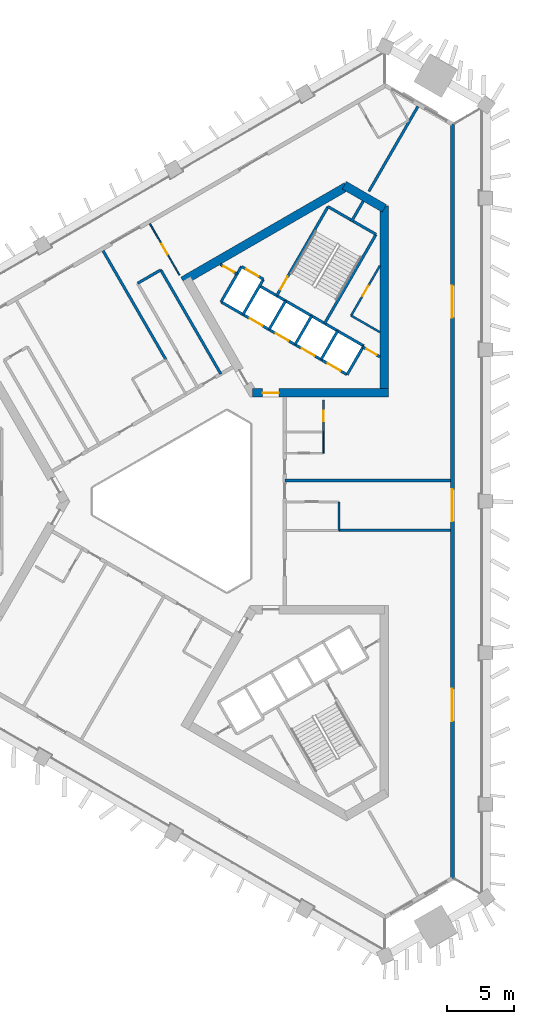
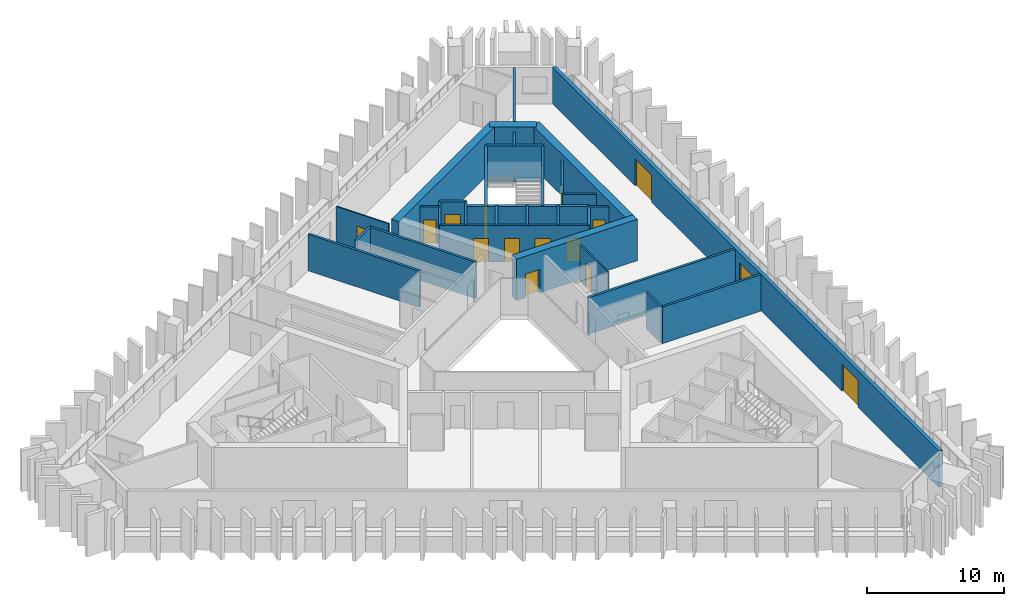
# One storey, part 5 of 10: 32 walls, 15 doors, 15 openings.
"""IFC4 building model written with IfcOpenShell, lengths in metres."""

import ifcopenshell
import ifcopenshell.guid

model = None  # the IFC model being written
_history = None  # IfcOwnerHistory: only IFC2X3 demands one
_inside = {}  # id of a spatial element -> (the spatial element, [elements in it])
_under = {}  # id of a project, library or spatial element -> (it, [spatial elements below it])
_declared = {}  # id of a project -> (the project, [libraries it declares])
_typed = {}  # id of a type object -> (the type object, [elements of that type])
_made_of = {}  # id of a material, layer set ... -> (it, [elements and type objects made of it])


def new_model(schema):
    """Start an empty IFC model of exactly this schema.

    Asked for "IFC4X3", IfcOpenShell would pick the latest addendum, in which some entities
    have other attributes; the version numbers below select the first issue.
    IFC2X3 requires an IfcOwnerHistory on every rooted entity: one is made here for all.
    """
    global model, _history
    if schema == "IFC4X3":
        model = ifcopenshell.file(schema_version=(4, 3, 0, 0))
    else:
        model = ifcopenshell.file(schema=schema)
    _inside.clear()
    _under.clear()
    _declared.clear()
    _typed.clear()
    _made_of.clear()
    _history = None
    if model.schema == "IFC2X3":
        org = make("IfcOrganization", Name="unknown")
        user = make(
            "IfcPersonAndOrganization",
            ThePerson=make("IfcPerson", FamilyName="unknown"),
            TheOrganization=org,
        )
        app = make(
            "IfcApplication",
            ApplicationDeveloper=org,
            Version="unknown",
            ApplicationFullName="unknown",
            ApplicationIdentifier="unknown",
        )
        _history = make(
            "IfcOwnerHistory",
            OwningUser=user,
            OwningApplication=app,
            ChangeAction="ADDED",
            CreationDate=0,
        )
    return model


def make(cls, **values):
    """One entity of the class cls with the attributes given. An attribute that is None is left unset."""
    return model.create_entity(
        cls, **{name: value for name, value in values.items() if value is not None}
    )


def rooted(cls, **values):
    """An entity with a GlobalId (a new one), such as an element, a storey or a relation."""
    return make(cls, GlobalId=ifcopenshell.guid.new(), OwnerHistory=_history, **values)


def si_unit(unit_type, name, prefix=None):
    """IfcSIUnit, for example si_unit("LENGTHUNIT", "METRE", prefix="MILLI")."""
    return make("IfcSIUnit", UnitType=unit_type, Prefix=prefix, Name=name)


def assignment(units):
    """IfcUnitAssignment: the units of a project."""
    return None if units is None else make("IfcUnitAssignment", Units=units)


def point(xyz):
    """IfcCartesianPoint."""
    return None if xyz is None else make("IfcCartesianPoint", Coordinates=xyz)


def direction(xyz):
    """IfcDirection."""
    return None if xyz is None else make("IfcDirection", DirectionRatios=xyz)


def frame(location, z_axis=None, x_axis=None):
    """IfcAxis2Placement3D, a coordinate frame: its origin and axes. An axis left out is left unset."""
    return make(
        "IfcAxis2Placement3D",
        Location=point(location),
        Axis=direction(z_axis),
        RefDirection=direction(x_axis),
    )


def frame_2d(location, x_axis=None):
    """IfcAxis2Placement2D, a coordinate frame in the plane: its origin and x axis."""
    return make(
        "IfcAxis2Placement2D", Location=point(location), RefDirection=direction(x_axis)
    )


def origin():
    """The frame at (0, 0, 0) with its axes left unset."""
    return frame((0.0, 0.0, 0.0))


def place(relative_to, where):
    """IfcLocalPlacement: puts the frame where relative to a parent placement (None: the world)."""
    return make(
        "IfcLocalPlacement", PlacementRelTo=relative_to, RelativePlacement=where
    )


def context(
    kind, dimensions, precision=None, world=None, true_north=None, identifier=None
):
    """IfcGeometricRepresentationContext, for example the 3D "Model" context."""
    return make(
        "IfcGeometricRepresentationContext",
        ContextIdentifier=identifier,
        ContextType=kind,
        CoordinateSpaceDimension=dimensions,
        Precision=precision,
        WorldCoordinateSystem=world,
        TrueNorth=true_north,
    )


def subcontext(parent, identifier, kind, view, scale=None):
    """IfcGeometricRepresentationSubContext, for example "Body" below "Model"."""
    return make(
        "IfcGeometricRepresentationSubContext",
        ContextIdentifier=identifier,
        ContextType=kind,
        ParentContext=parent,
        TargetScale=scale,
        TargetView=view,
    )


def project(units=None, contexts=None):
    """IfcProject with its units and contexts."""
    return rooted(
        "IfcProject",
        Name="project",
        RepresentationContexts=contexts,
        UnitsInContext=assignment(units),
    )


def spatial(cls, under=None, at=None, **own):
    """A site, building, storey or space (cls), placed at a placement, below another one or the project."""
    s = rooted(cls, ObjectPlacement=at, **own)
    if under is not None:
        _under.setdefault(under.id(), (under, []))[1].append(s)
    return s


def profile(cls, at=None, kind="AREA", **sizes):
    """A parametric profile (cls). Its sizes go by their IFC names, for example OverallWidth=200.0."""
    return make(cls, ProfileType=kind, Position=at, **sizes)


def rectangle(**sizes):
    """IfcRectangleProfileDef."""
    return profile("IfcRectangleProfileDef", **sizes)


def extrude(swept, where, along, depth):
    """IfcExtrudedAreaSolid: the profile swept, set in the frame where, extruded along a direction by depth."""
    return make(
        "IfcExtrudedAreaSolid",
        SweptArea=swept,
        Position=where,
        ExtrudedDirection=direction(along),
        Depth=depth,
    )


def shape(context_of_items, identifier, shape_type, items):
    """IfcShapeRepresentation: the items that make up one representation, for example the "Body"."""
    return make(
        "IfcShapeRepresentation",
        ContextOfItems=context_of_items,
        RepresentationIdentifier=identifier,
        RepresentationType=shape_type,
        Items=items,
    )


def material(Name=None, Category=None):
    """IfcMaterial."""
    return make("IfcMaterial", Name=Name, Category=Category)


def layer(
    of_material, thickness, ventilated=None, Name=None, Category=None, Priority=None
):
    """IfcMaterialLayer: one layer of a wall or slab, of a material (None: an air gap)."""
    return make(
        "IfcMaterialLayer",
        Material=of_material,
        LayerThickness=thickness,
        IsVentilated=ventilated,
        Name=Name,
        Category=Category,
        Priority=Priority,
    )


def layer_set(layers, Name=None):
    """IfcMaterialLayerSet."""
    return make("IfcMaterialLayerSet", MaterialLayers=layers, LayerSetName=Name)


def made_of(thing, what):
    """Note that an element or type object is made of a material, layer set ...; save() writes the relation."""
    if what is not None:
        _made_of.setdefault(what.id(), (what, []))[1].append(thing)
    return thing


def type_object(cls, material=None, **own):
    """A type object (cls), such as IfcWallType, which elements share."""
    return made_of(rooted(cls, **own), material)


def element(
    cls,
    number,
    at=None,
    inside=None,
    cuts=None,
    type_object=None,
    material=None,
    context=None,
    identifier="Body",
    shape_type=None,
    held_by="IfcProductDefinitionShape",
    body=None,
    shapes=None,
    **own,
):
    """One element of the class cls, such as IfcWall. Its Tag is "e" and its number.

    at: its placement. inside: the storey or other place that contains it. cuts: it is an
    opening in that element (IfcRelVoidsElement). A single representation is given by context,
    identifier, shape_type and body (its items); several are given by shapes. held_by: the class
    of the entity that holds the representations. save() writes the other relations.
    """
    e = rooted(cls, Tag="e%d" % number, ObjectPlacement=at, **own)
    if body is not None:
        shapes = [shape(context, identifier, shape_type, body)]
    if shapes is not None:
        e.Representation = make(held_by, Representations=shapes)
    if inside is not None:
        _inside.setdefault(inside.id(), (inside, []))[1].append(e)
    if cuts is not None:
        rooted(
            "IfcRelVoidsElement", RelatingBuildingElement=cuts, RelatedOpeningElement=e
        )
    if type_object is not None:
        _typed.setdefault(type_object.id(), (type_object, []))[1].append(e)
    return made_of(e, material)


def fill(opening, filler):
    """IfcRelFillsElement: the door or window that sits in an opening."""
    return rooted(
        "IfcRelFillsElement",
        RelatingOpeningElement=opening,
        RelatedBuildingElement=filler,
    )


def aggregate(whole, parts):
    """IfcRelAggregates: a whole, such as a stair, and the parts it consists of."""
    return rooted("IfcRelAggregates", RelatingObject=whole, RelatedObjects=parts)


def save(model, path):
    """Write the relations noted so far, then the file.

    IfcRelAggregates (storeys below a building ...), IfcRelContainedInSpatialStructure (elements
    in a storey), IfcRelDefinesByType, IfcRelAssociatesMaterial and IfcRelDeclares: one each for
    every whole, place, type object, material and project.
    """
    for whole, parts in _under.values():
        aggregate(whole, parts)
    for where, things in _inside.values():
        rooted(
            "IfcRelContainedInSpatialStructure",
            RelatedElements=things,
            RelatingStructure=where,
        )
    for kind, things in _typed.values():
        rooted("IfcRelDefinesByType", RelatedObjects=things, RelatingType=kind)
    for what, things in _made_of.values():
        rooted("IfcRelAssociatesMaterial", RelatedObjects=things, RelatingMaterial=what)
    for by, libraries in _declared.values():
        rooted("IfcRelDeclares", RelatingContext=by, RelatedDefinitions=libraries)
    model.write(path)


model = new_model("IFC4")

# Units and contexts
model_context = context("Model", 3, precision=1e-05, world=origin(), true_north=direction((0.0, 1.0)))
body_context = subcontext(model_context, "Body", "Model", "MODEL_VIEW")
ifc_project = project(units=[si_unit("LENGTHUNIT", "METRE"), si_unit("AREAUNIT", "SQUARE_METRE"), si_unit("VOLUMEUNIT", "CUBIC_METRE"), si_unit("PLANEANGLEUNIT", "RADIAN"), si_unit("MASSUNIT", "GRAM", prefix="KILO")], contexts=[model_context])

# Site, building, storey
site_placement = place(None, origin())
site = spatial("IfcSite", under=ifc_project, at=site_placement, CompositionType="ELEMENT")
building_placement = place(site_placement, origin())
building = spatial("IfcBuilding", under=site, at=building_placement, Name="Jabali Bay Hotel Tower and Convention Centre", CompositionType="ELEMENT")
storey_placement = place(building_placement, frame((0.0, 0.0, 121.60009765625)))
storey = spatial("IfcBuildingStorey", under=building, at=storey_placement, Name="L29", CompositionType="ELEMENT", Elevation=121.60009765625)

# Wall
ifc_material_1 = material(Name="Concrete C40", Category="concrete")
ifc_layer_1 = layer(ifc_material_1, 0.199951171875)
ifc_layer_set_1 = layer_set([ifc_layer_1], Name="Concrete C40")
wall_type_1 = type_object("IfcWallType", Name="Core partition wall 200", PredefinedType="PARTITIONING", material=ifc_layer_set_1)
wall_1_placement = place(storey_placement, frame((87.090087890625, 100.9404296875, 0.0), z_axis=(0.0, 0.0, 1.0), x_axis=(0.499944938281, 0.866057191349, 0.0)))
element("IfcWall", 1, at=wall_1_placement, inside=storey, type_object=wall_type_1, Name="Core wall 1.5 L29", PredefinedType="PARTITIONING", context=body_context, shape_type="SweptSolid", body=[
    extrude(rectangle(XDim=1.773193359375, YDim=0.199951171875, at=frame_2d((0.88671875, 0.0))), origin(), (0.0, 0.0, 1.0), 3.25),
])

# Wall, opening, door
wall_2_placement = place(storey_placement, frame((89.22998046875, 90.813720703125, 0.0), z_axis=(0.0, 0.0, 1.0), x_axis=(-0.866022048785, 0.500005810984, 0.0)))
wall_2 = element("IfcWall", 2, at=wall_2_placement, inside=storey, type_object=wall_type_1, Name="Core wall 1.11 L29", PredefinedType="PARTITIONING", context=body_context, shape_type="SweptSolid", body=[
    extrude(rectangle(XDim=1.466796875, YDim=0.199951171875, at=frame_2d((0.7333984375, 0.0))), origin(), (0.0, 0.0, 1.0), 3.25),
])
opening_1_placement = place(wall_2_placement, frame((0.283447265625, 0.0, 0.0)))
opening_1 = element("IfcOpeningElement", 3, at=opening_1_placement, cuts=wall_2, Name="Opening D650", PredefinedType="OPENING", context=body_context, shape_type="SweptSolid", body=[
    extrude(rectangle(XDim=0.89990234375, YDim=2.10009765625, at=frame_2d((0.449951171875, 1.050048828125))), frame((0.0, 0.1103515625, 0.0), z_axis=(0.0, -1.0, 0.0), x_axis=(1.0, 0.0, 0.0)), (0.0, 0.0, 1.0), 0.220947265625),
])
ifc_material_2 = material(Name="Fire-rated steel door", Category="steel")
door_type_1 = type_object("IfcDoorType", Name="Vestibule fire door 900 x 2100", OperationType="NOTDEFINED", PredefinedType="NOTDEFINED", material=ifc_material_2)
door_1_placement = place(opening_1_placement, origin())
door_1 = element("IfcDoor", 4, at=door_1_placement, inside=storey, type_object=door_type_1, Name="Vestibule fire door D650", OperationType="SINGLE_SWING_LEFT", OverallHeight=2.10009765625, OverallWidth=0.89990234375, PredefinedType="NOTDEFINED", context=body_context, shape_type="SweptSolid", body=[
    extrude(rectangle(XDim=0.89990234375, YDim=2.10009765625, at=frame_2d((0.449951171875, 1.050048828125))), frame((0.0, 0.02490234375, 0.0), z_axis=(0.0, -1.0, 0.0), x_axis=(1.0, 0.0, 0.0)), (0.0, 0.0, 1.0), 0.050048828125),
])
fill(opening_1, door_1)

wall_3_placement = place(storey_placement, frame((78.5302734375, 97.014404296875, 0.0), z_axis=(0.0, 0.0, 1.0), x_axis=(-0.866045896294, 0.499964504253, 0.0)))
wall_3 = element("IfcWall", 5, at=wall_3_placement, inside=storey, type_object=wall_type_1, Name="Core wall 1.12 L29", PredefinedType="PARTITIONING", context=body_context, shape_type="SweptSolid", body=[
    extrude(rectangle(XDim=1.455078125, YDim=0.199951171875, at=frame_2d((0.7275390625, 0.0))), origin(), (0.0, 0.0, 1.0), 3.25),
])
opening_2_placement = place(wall_3_placement, frame((0.277587890625, 0.0, 0.0)))
opening_2 = element("IfcOpeningElement", 6, at=opening_2_placement, cuts=wall_3, Name="Opening D649", PredefinedType="OPENING", context=body_context, shape_type="SweptSolid", body=[
    extrude(rectangle(XDim=0.89990234375, YDim=2.10009765625, at=frame_2d((0.449951171875, 1.050048828125))), frame((0.0, 0.1103515625, 0.0), z_axis=(0.0, -1.0, 0.0), x_axis=(1.0, 0.0, 0.0)), (0.0, 0.0, 1.0), 0.220947265625),
])
door_2_placement = place(opening_2_placement, origin())
door_2 = element("IfcDoor", 7, at=door_2_placement, inside=storey, type_object=door_type_1, Name="Vestibule fire door D649", OperationType="SINGLE_SWING_LEFT", OverallHeight=2.10009765625, OverallWidth=0.89990234375, PredefinedType="NOTDEFINED", context=body_context, shape_type="SweptSolid", body=[
    extrude(rectangle(XDim=0.89990234375, YDim=2.10009765625, at=frame_2d((0.449951171875, 1.050048828125))), frame((0.0, 0.02490234375, 0.0), z_axis=(0.0, -1.0, 0.0), x_axis=(1.0, 0.0, 0.0)), (0.0, 0.0, 1.0), 0.050048828125),
])
fill(opening_2, door_2)

ifc_material_3 = material(Name="Fire-rated board partition")
ifc_layer_2 = layer(ifc_material_3, 0.14990234375)
ifc_layer_set_2 = layer_set([ifc_layer_2], Name="Fire-rated board partition")
wall_type_2 = type_object("IfcWallType", Name="Core room partition 150", PredefinedType="PARTITIONING", material=ifc_layer_set_2)
wall_4_placement = place(storey_placement, frame((87.071044921875, 93.90771484375, 0.0), z_axis=(0.0, 0.0, 1.0), x_axis=(0.500012861172, 0.866017978256, 0.0)))
wall_4 = element("IfcWall", 8, at=wall_4_placement, inside=storey, type_object=wall_type_2, Name="Core wall 1.1 L29", PredefinedType="PARTITIONING", context=body_context, shape_type="SweptSolid", body=[
    extrude(rectangle(XDim=4.31787109375, YDim=0.14990234375, at=frame_2d((2.158935546875, 0.0))), origin(), (0.0, 0.0, 1.0), 3.25),
])
opening_3_placement = place(wall_4_placement, frame((1.681396484375, 0.0, 0.0)))
opening_3 = element("IfcOpeningElement", 9, at=opening_3_placement, cuts=wall_4, Name="Opening D652", PredefinedType="OPENING", context=body_context, shape_type="SweptSolid", body=[
    extrude(rectangle(XDim=0.89990234375, YDim=2.10009765625, at=frame_2d((0.449951171875, 1.050048828125))), frame((0.0, 0.08544921875, 0.0), z_axis=(0.0, -1.0, 0.0), x_axis=(1.0, 0.0, 0.0)), (0.0, 0.0, 1.0), 0.1708984375),
])
door_type_2 = type_object("IfcDoorType", Name="Core room door 900 x 2100", OperationType="NOTDEFINED", PredefinedType="NOTDEFINED", material=ifc_material_2)
door_3_placement = place(opening_3_placement, origin())
door_3 = element("IfcDoor", 10, at=door_3_placement, inside=storey, type_object=door_type_2, Name="Core room door D652", OperationType="SINGLE_SWING_LEFT", OverallHeight=2.10009765625, OverallWidth=0.89990234375, PredefinedType="NOTDEFINED", context=body_context, shape_type="SweptSolid", body=[
    extrude(rectangle(XDim=0.89990234375, YDim=2.10009765625, at=frame_2d((0.449951171875, 1.050048828125))), frame((0.0, 0.02490234375, 0.0), z_axis=(0.0, -1.0, 0.0), x_axis=(1.0, 0.0, 0.0)), (0.0, 0.0, 1.0), 0.050048828125),
])
fill(opening_3, door_3)

# Walls
wall_5_placement = place(storey_placement, frame((89.22998046875, 92.661376953125, 0.0), z_axis=(0.0, 0.0, 1.0), x_axis=(-0.866046964233, 0.499962654349, 0.0)))
element("IfcWall", 11, at=wall_5_placement, inside=storey, type_object=wall_type_2, Name="Core wall 1.15 L29", PredefinedType="PARTITIONING", context=body_context, shape_type="SweptSolid", body=[
    extrude(rectangle(XDim=2.492919921875, YDim=0.14990234375, at=frame_2d((1.24658203125, 0.0))), origin(), (0.0, 0.0, 1.0), 3.25),
])
ifc_layer_3 = layer(ifc_material_1, 0.199951171875)
ifc_layer_set_3 = layer_set([ifc_layer_3], Name="Concrete C40")
wall_type_3 = type_object("IfcWallType", Name="Core stair wall 200", PredefinedType="SOLIDWALL", material=ifc_layer_set_3)
for number, where, z_axis, x_axis, name in (
    (12, (86.769775390625, 89.48583984375, 0.0), (0.0, 0.0, 1.0), (0.499961042966, 0.86604789447, 0.0), "Core wall 1.0 L29"),
    (13, (84.8212890625, 90.61083984375, 0.0), (0.0, 0.0, 1.0), (0.499961042966, 0.86604789447, 0.0), "Core wall 1.2 L29"),
):
    element("IfcWall", number, at=place(storey_placement, frame(where, z_axis=z_axis, x_axis=x_axis)), inside=storey, type_object=wall_type_3, Name=name, PredefinedType="SOLIDWALL", context=body_context, shape_type="SweptSolid", body=[
        extrude(rectangle(XDim=2.480224609375, YDim=0.199951171875, at=frame_2d((1.240234375, 0.0))), origin(), (0.0, 0.0, 1.0), 3.25),
    ])
wall_6_placement = place(storey_placement, frame((85.0869140625, 93.3212890625, 0.0), z_axis=(0.0, 0.0, 1.0), x_axis=(0.500019787375, 0.866013979237, 0.0)))
element("IfcWall", 14, at=wall_6_placement, inside=storey, type_object=wall_type_3, Name="Core wall 1.3 L29", PredefinedType="SOLIDWALL", context=body_context, shape_type="SweptSolid", body=[
    extrude(rectangle(XDim=7.699951171875, YDim=0.199951171875, at=frame_2d((3.85009765625, 0.0))), origin(), (0.0, 0.0, 1.0), 3.25),
])
for number, where, z_axis, x_axis, name in (
    (15, (82.872802734375, 91.73583984375, 0.0), (0.0, 0.0, 1.0), (0.499961042966, 0.86604789447, 0.0), "Core wall 1.4 L29"),
    (16, (80.924072265625, 92.86083984375, 0.0), (0.0, 0.0, 1.0), (0.499961042966, 0.86604789447, 0.0), "Core wall 1.6 L29"),
):
    element("IfcWall", number, at=place(storey_placement, frame(where, z_axis=z_axis, x_axis=x_axis)), inside=storey, type_object=wall_type_3, Name=name, PredefinedType="SOLIDWALL", context=body_context, shape_type="SweptSolid", body=[
        extrude(rectangle(XDim=2.480224609375, YDim=0.199951171875, at=frame_2d((1.240234375, 0.0))), origin(), (0.0, 0.0, 1.0), 3.25),
    ])

# Wall, opening, door
wall_7_placement = place(storey_placement, frame((81.492919921875, 95.396240234375, 0.0), z_axis=(0.0, 0.0, 1.0), x_axis=(0.500006057782, 0.866021906294, 0.0)))
wall_7 = element("IfcWall", 17, at=wall_7_placement, inside=storey, type_object=wall_type_3, Name="Core wall 1.7 L29", PredefinedType="SOLIDWALL", context=body_context, shape_type="SweptSolid", body=[
    extrude(rectangle(XDim=7.7001953125, YDim=0.199951171875, at=frame_2d((3.85009765625, 0.0))), origin(), (0.0, 0.0, 1.0), 3.25),
])
opening_4_placement = place(wall_7_placement, frame((0.550048828125, 0.0, 0.0)))
opening_4 = element("IfcOpeningElement", 18, at=opening_4_placement, cuts=wall_7, Name="Opening D651", PredefinedType="OPENING", context=body_context, shape_type="SweptSolid", body=[
    extrude(rectangle(XDim=1.10009765625, YDim=2.10009765625, at=frame_2d((0.550048828125, 1.050048828125))), frame((0.0, 0.1103515625, 0.0), z_axis=(0.0, -1.0, 0.0), x_axis=(1.0, 0.0, 0.0)), (0.0, 0.0, 1.0), 0.220947265625),
])
door_type_3 = type_object("IfcDoorType", Name="Stair fire door 1100 x 2100", OperationType="NOTDEFINED", PredefinedType="NOTDEFINED", material=ifc_material_2)
door_4_placement = place(opening_4_placement, origin())
door_4 = element("IfcDoor", 19, at=door_4_placement, inside=storey, type_object=door_type_3, Name="Stair fire door D651", OperationType="SINGLE_SWING_RIGHT", OverallHeight=2.10009765625, OverallWidth=1.10009765625, PredefinedType="NOTDEFINED", context=body_context, shape_type="SweptSolid", body=[
    extrude(rectangle(XDim=1.10009765625, YDim=2.10009765625, at=frame_2d((0.550048828125, 1.050048828125))), frame((0.0, 0.02490234375, 0.0), z_axis=(0.0, -1.0, 0.0), x_axis=(1.0, 0.0, 0.0)), (0.0, 0.0, 1.0), 0.050048828125),
])
fill(opening_4, door_4)

# Walls
for number, where, z_axis, x_axis, name in (
    (20, (78.9755859375, 93.98583984375, 0.0), (0.0, 0.0, 1.0), (0.499944174705, 0.866057632134, 0.0), "Core wall 1.8 L29"),
    (21, (77.330078125, 94.93603515625, 0.0), (0.0, 0.0, 1.0), (0.500038867431, 0.8660029625, 0.0), "Core wall 1.9 L29"),
):
    element("IfcWall", number, at=place(storey_placement, frame(where, z_axis=z_axis, x_axis=x_axis)), inside=storey, type_object=wall_type_3, Name=name, PredefinedType="SOLIDWALL", context=body_context, shape_type="SweptSolid", body=[
        extrude(rectangle(XDim=3.050048828125, YDim=0.199951171875, at=frame_2d((1.52490234375, 0.0))), origin(), (0.0, 0.0, 1.0), 3.25),
    ])

# Wall, openings, doors
wall_8_placement = place(storey_placement, frame((86.769775390625, 89.48583984375, 0.0), z_axis=(0.0, 0.0, 1.0), x_axis=(-0.86601811187, 0.500012629753, 0.0)))
wall_8 = element("IfcWall", 22, at=wall_8_placement, inside=storey, type_object=wall_type_3, Name="Core wall 1.10 L29", PredefinedType="SOLIDWALL", context=body_context, shape_type="SweptSolid", body=[
    extrude(rectangle(XDim=10.900146484375, YDim=0.199951171875, at=frame_2d((5.4501953125, 0.0))), origin(), (0.0, 0.0, 1.0), 3.25),
])
opening_5_placement = place(wall_8_placement, frame((0.574951171875, 0.0, 0.0)))
opening_5 = element("IfcOpeningElement", 23, at=opening_5_placement, cuts=wall_8, Name="Opening LD6-L29", PredefinedType="OPENING", context=body_context, shape_type="SweptSolid", body=[
    extrude(rectangle(XDim=1.10009765625, YDim=2.10009765625, at=frame_2d((0.550048828125, 1.050048828125))), frame((0.0, 0.1103515625, 0.0), z_axis=(0.0, -1.0, 0.0), x_axis=(1.0, 0.0, 0.0)), (0.0, 0.0, 1.0), 0.220947265625),
])
opening_6_placement = place(wall_8_placement, frame((2.824951171875, 0.0, 0.0)))
opening_6 = element("IfcOpeningElement", 24, at=opening_6_placement, cuts=wall_8, Name="Opening LD7-L29", PredefinedType="OPENING", context=body_context, shape_type="SweptSolid", body=[
    extrude(rectangle(XDim=1.10009765625, YDim=2.10009765625, at=frame_2d((0.550048828125, 1.050048828125))), frame((0.0, 0.1103515625, 0.0), z_axis=(0.0, -1.0, 0.0), x_axis=(1.0, 0.0, 0.0)), (0.0, 0.0, 1.0), 0.220947265625),
])
opening_7_placement = place(wall_8_placement, frame((5.074951171875, 0.0, 0.0)))
opening_7 = element("IfcOpeningElement", 25, at=opening_7_placement, cuts=wall_8, Name="Opening LD8-L29", PredefinedType="OPENING", context=body_context, shape_type="SweptSolid", body=[
    extrude(rectangle(XDim=1.10009765625, YDim=2.10009765625, at=frame_2d((0.550048828125, 1.050048828125))), frame((0.0, 0.1103515625, 0.0), z_axis=(0.0, -1.0, 0.0), x_axis=(1.0, 0.0, 0.0)), (0.0, 0.0, 1.0), 0.220947265625),
])
opening_8_placement = place(wall_8_placement, frame((7.324951171875, 0.0, 0.0)))
opening_8 = element("IfcOpeningElement", 26, at=opening_8_placement, cuts=wall_8, Name="Opening LD9-L29", PredefinedType="OPENING", context=body_context, shape_type="SweptSolid", body=[
    extrude(rectangle(XDim=1.10009765625, YDim=2.10009765625, at=frame_2d((0.550048828125, 1.050048828125))), frame((0.0, 0.1103515625, 0.0), z_axis=(0.0, -1.0, 0.0), x_axis=(1.0, 0.0, 0.0)), (0.0, 0.0, 1.0), 0.220947265625),
])
ifc_material_4 = material(Name="Stainless steel landing door", Category="steel")
door_type_4 = type_object("IfcDoorType", Name="Landing door 1100 x 2100", OperationType="NOTDEFINED", PredefinedType="NOTDEFINED", material=ifc_material_4)
door_5_placement = place(opening_5_placement, origin())
door_5 = element("IfcDoor", 27, at=door_5_placement, inside=storey, type_object=door_type_4, Name="Landing doors LD6-L29", OperationType="SLIDING_TO_RIGHT", OverallHeight=2.10009765625, OverallWidth=1.10009765625, PredefinedType="NOTDEFINED", context=body_context, shape_type="SweptSolid", body=[
    extrude(rectangle(XDim=1.10009765625, YDim=2.10009765625, at=frame_2d((0.550048828125, 1.050048828125))), frame((0.0, 0.02490234375, 0.0), z_axis=(0.0, -1.0, 0.0), x_axis=(1.0, 0.0, 0.0)), (0.0, 0.0, 1.0), 0.050048828125),
])
fill(opening_5, door_5)
door_6_placement = place(opening_6_placement, origin())
door_6 = element("IfcDoor", 28, at=door_6_placement, inside=storey, type_object=door_type_4, Name="Landing doors LD7-L29", OperationType="SLIDING_TO_LEFT", OverallHeight=2.10009765625, OverallWidth=1.10009765625, PredefinedType="NOTDEFINED", context=body_context, shape_type="SweptSolid", body=[
    extrude(rectangle(XDim=1.10009765625, YDim=2.10009765625, at=frame_2d((0.550048828125, 1.050048828125))), frame((0.0, 0.02490234375, 0.0), z_axis=(0.0, -1.0, 0.0), x_axis=(1.0, 0.0, 0.0)), (0.0, 0.0, 1.0), 0.050048828125),
])
fill(opening_6, door_6)
door_7_placement = place(opening_7_placement, origin())
door_7 = element("IfcDoor", 29, at=door_7_placement, inside=storey, type_object=door_type_4, Name="Landing doors LD8-L29", OperationType="SLIDING_TO_RIGHT", OverallHeight=2.10009765625, OverallWidth=1.10009765625, PredefinedType="NOTDEFINED", context=body_context, shape_type="SweptSolid", body=[
    extrude(rectangle(XDim=1.10009765625, YDim=2.10009765625, at=frame_2d((0.550048828125, 1.050048828125))), frame((0.0, 0.02490234375, 0.0), z_axis=(0.0, -1.0, 0.0), x_axis=(1.0, 0.0, 0.0)), (0.0, 0.0, 1.0), 0.050048828125),
])
fill(opening_7, door_7)
door_8_placement = place(opening_8_placement, origin())
door_8 = element("IfcDoor", 30, at=door_8_placement, inside=storey, type_object=door_type_4, Name="Landing doors LD9-L29", OperationType="SLIDING_TO_LEFT", OverallHeight=2.10009765625, OverallWidth=1.10009765625, PredefinedType="NOTDEFINED", context=body_context, shape_type="SweptSolid", body=[
    extrude(rectangle(XDim=1.10009765625, YDim=2.10009765625, at=frame_2d((0.550048828125, 1.050048828125))), frame((0.0, 0.02490234375, 0.0), z_axis=(0.0, -1.0, 0.0), x_axis=(1.0, 0.0, 0.0)), (0.0, 0.0, 1.0), 0.050048828125),
])
fill(opening_8, door_8)

# Wall
wall_9_placement = place(storey_placement, frame((88.009765625, 91.6337890625, 0.0), z_axis=(0.0, 0.0, 1.0), x_axis=(-0.866024315419, 0.5000018851, 0.0)))
element("IfcWall", 31, at=wall_9_placement, inside=storey, type_object=wall_type_3, Name="Core wall 1.13 L29", PredefinedType="SOLIDWALL", context=body_context, shape_type="SweptSolid", body=[
    extrude(rectangle(XDim=9.0, YDim=0.199951171875, at=frame_2d((4.5, 0.0))), origin(), (0.0, 0.0, 1.0), 3.25),
])

# Wall, opening, door
wall_10_placement = place(storey_placement, frame((80.50048828125, 96.62744140625, 0.0), z_axis=(0.0, 0.0, 1.0), x_axis=(-0.86601224135, 0.500022797313, 0.0)))
wall_10 = element("IfcWall", 32, at=wall_10_placement, inside=storey, type_object=wall_type_3, Name="Core wall 1.14 L29", PredefinedType="SOLIDWALL", context=body_context, shape_type="SweptSolid", body=[
    extrude(rectangle(XDim=1.89990234375, YDim=0.199951171875, at=frame_2d((0.949951171875, 0.0))), origin(), (0.0, 0.0, 1.0), 3.25),
])
opening_9_placement = place(wall_10_placement, frame((0.39990234375, 0.0, 0.0)))
opening_9 = element("IfcOpeningElement", 33, at=opening_9_placement, cuts=wall_10, Name="Opening LD10-L29", PredefinedType="OPENING", context=body_context, shape_type="SweptSolid", body=[
    extrude(rectangle(XDim=1.10009765625, YDim=2.10009765625, at=frame_2d((0.550048828125, 1.050048828125))), frame((0.0, 0.1103515625, 0.0), z_axis=(0.0, -1.0, 0.0), x_axis=(1.0, 0.0, 0.0)), (0.0, 0.0, 1.0), 0.220947265625),
])
door_9_placement = place(opening_9_placement, origin())
door_9 = element("IfcDoor", 34, at=door_9_placement, inside=storey, type_object=door_type_4, Name="Landing doors LD10-L29", OperationType="SLIDING_TO_RIGHT", OverallHeight=2.10009765625, OverallWidth=1.10009765625, PredefinedType="NOTDEFINED", context=body_context, shape_type="SweptSolid", body=[
    extrude(rectangle(XDim=1.10009765625, YDim=2.10009765625, at=frame_2d((0.550048828125, 1.050048828125))), frame((0.0, 0.02490234375, 0.0), z_axis=(0.0, -1.0, 0.0), x_axis=(1.0, 0.0, 0.0)), (0.0, 0.0, 1.0), 0.050048828125),
])
fill(opening_9, door_9)

# Wall
wall_11_placement = place(storey_placement, frame((88.93701171875, 99.989501953125, 0.0), z_axis=(0.0, 0.0, 1.0), x_axis=(-0.866004344652, 0.500036473714, 0.0)))
element("IfcWall", 35, at=wall_11_placement, inside=storey, type_object=wall_type_3, Name="Core wall 1.16 L29", PredefinedType="SOLIDWALL", context=body_context, shape_type="SweptSolid", body=[
    extrude(rectangle(XDim=4.150146484375, YDim=0.199951171875, at=frame_2d((2.0751953125, 0.0))), origin(), (0.0, 0.0, 1.0), 3.25),
])

# Wall, opening, door
ifc_material_5 = material(Name="Concrete C60", Category="concrete")
ifc_layer_4 = layer(ifc_material_5, 0.64990234375)
ifc_layer_set_4 = layer_set([ifc_layer_4], Name="Concrete C60")
wall_type_4 = type_object("IfcWallType", Name="Core wall 650", PredefinedType="SHEAR", material=ifc_layer_set_4)
wall_12_placement = place(storey_placement, frame((79.687744140625, 88.119140625, 0.0), z_axis=(0.0, 0.0, 1.0), x_axis=(1.0, 0.0, 0.0)))
wall_12 = element("IfcWall", 36, at=wall_12_placement, inside=storey, type_object=wall_type_4, Name="Core wall 2.1 L29", PredefinedType="SHEAR", context=body_context, shape_type="SweptSolid", body=[
    extrude(rectangle(XDim=10.192138671875, YDim=0.64990234375, at=frame_2d((5.09619140625, 0.0))), origin(), (0.0, 0.0, 1.0), 3.699951171875),
])
opening_10_placement = place(wall_12_placement, frame((0.762451171875, 0.0, 0.0)))
opening_10 = element("IfcOpeningElement", 37, at=opening_10_placement, cuts=wall_12, Name="Opening D647", PredefinedType="OPENING", context=body_context, shape_type="SweptSolid", body=[
    extrude(rectangle(XDim=1.199951171875, YDim=2.10009765625, at=frame_2d((0.60009765625, 1.050048828125))), frame((0.0, 0.33544921875, 0.0), z_axis=(0.0, -1.0, 0.0), x_axis=(1.0, 0.0, 0.0)), (0.0, 0.0, 1.0), 0.6708984375),
])
door_type_5 = type_object("IfcDoorType", Name="Corridor end fire door 1200 x 2100", OperationType="NOTDEFINED", PredefinedType="NOTDEFINED", material=ifc_material_2)
door_10_placement = place(opening_10_placement, origin())
door_10 = element("IfcDoor", 38, at=door_10_placement, inside=storey, type_object=door_type_5, Name="Corridor end fire door D647", OperationType="SINGLE_SWING_RIGHT", OverallHeight=2.10009765625, OverallWidth=1.199951171875, PredefinedType="NOTDEFINED", context=body_context, shape_type="SweptSolid", body=[
    extrude(rectangle(XDim=1.199951171875, YDim=2.10009765625, at=frame_2d((0.60009765625, 1.050048828125))), frame((0.0, 0.02490234375, 0.0), z_axis=(0.0, -1.0, 0.0), x_axis=(1.0, 0.0, 0.0)), (0.0, 0.0, 1.0), 0.050048828125),
])
fill(opening_10, door_10)

# Walls
wall_13_placement = place(storey_placement, frame((89.554931640625, 88.119140625, 0.0), z_axis=(0.0, 0.0, 1.0), x_axis=(0.0, 1.0, 0.0)))
element("IfcWall", 39, at=wall_13_placement, inside=storey, type_object=wall_type_4, Name="Core wall 2.2 L29", PredefinedType="SHEAR", context=body_context, shape_type="SweptSolid", body=[
    extrude(rectangle(XDim=14.008544921875, YDim=0.64990234375, at=frame_2d((7.00439453125, 0.0))), origin(), (0.0, 0.0, 1.0), 3.699951171875),
])
wall_14_placement = place(storey_placement, frame((89.554931640625, 101.93994140625, 0.0), z_axis=(0.0, 0.0, 1.0), x_axis=(-0.866031550877, 0.499989352773, 0.0)))
element("IfcWall", 40, at=wall_14_placement, inside=storey, type_object=wall_type_4, Name="Core wall 2.3 L29", PredefinedType="SHEAR", context=body_context, shape_type="SweptSolid", body=[
    extrude(rectangle(XDim=3.45751953125, YDim=0.64990234375, at=frame_2d((1.728759765625, 0.0))), origin(), (0.0, 0.0, 1.0), 3.699951171875),
])
wall_15_placement = place(storey_placement, frame((86.72314453125, 103.574951171875, 0.0), z_axis=(0.0, 0.0, 1.0), x_axis=(-0.866031824457, -0.499988878904, 0.0)))
element("IfcWall", 41, at=wall_15_placement, inside=storey, type_object=wall_type_4, Name="Core wall 2.4 L29", PredefinedType="SHEAR", context=body_context, shape_type="SweptSolid", body=[
    extrude(rectangle(XDim=14.145751953125, YDim=0.64990234375, at=frame_2d((7.07275390625, 0.0))), origin(), (0.0, 0.0, 1.0), 3.699951171875),
])

# Wall, openings, doors
ifc_layer_5 = layer(ifc_material_1, 0.300048828125)
ifc_layer_set_5 = layer_set([ifc_layer_5], Name="Concrete C40")
wall_type_5 = type_object("IfcWallType", Name="External wall 300", PredefinedType="SOLIDWALL", material=ifc_layer_set_5)
wall_16_placement = place(storey_placement, frame((94.650634765625, 108.254150390625, 0.0), z_axis=(0.0, 0.0, 1.0), x_axis=(0.0, -1.0, 0.0)))
wall_16 = element("IfcWall", 42, at=wall_16_placement, inside=storey, type_object=wall_type_5, Name="External wall east face L29", PredefinedType="SOLIDWALL", context=body_context, shape_type="SweptSolid", body=[
    extrude(rectangle(XDim=56.50830078125, YDim=0.300048828125, at=frame_2d((28.254150390625, 0.0))), origin(), (0.0, 0.0, 1.0), 3.25),
])
opening_11_placement = place(wall_16_placement, frame((27.365966796875, 0.0, 0.0)))
opening_11 = element("IfcOpeningElement", 43, at=opening_11_placement, cuts=wall_16, Name="Opening SD1", PredefinedType="OPENING", context=body_context, shape_type="SweptSolid", body=[
    extrude(rectangle(XDim=2.39990234375, YDim=2.39990234375, at=frame_2d((1.199951171875, 1.199951171875))), frame((0.0, 0.16064453125, 0.0), z_axis=(0.0, -1.0, 0.0), x_axis=(1.0, 0.0, 0.0)), (0.0, 0.0, 1.0), 0.321044921875),
])
opening_12_placement = place(wall_16_placement, frame((42.315673828125, 0.0, 0.0)))
opening_12 = element("IfcOpeningElement", 44, at=opening_12_placement, cuts=wall_16, Name="Opening SD1", PredefinedType="OPENING", context=body_context, shape_type="SweptSolid", body=[
    extrude(rectangle(XDim=2.39990234375, YDim=2.39990234375, at=frame_2d((1.199951171875, 1.199951171875))), frame((0.0, 0.16064453125, 0.0), z_axis=(0.0, -1.0, 0.0), x_axis=(1.0, 0.0, 0.0)), (0.0, 0.0, 1.0), 0.321044921875),
])
opening_13_placement = place(wall_16_placement, frame((12.104248046875, 0.0, 0.0)))
opening_13 = element("IfcOpeningElement", 45, at=opening_13_placement, cuts=wall_16, Name="Opening SD1", PredefinedType="OPENING", context=body_context, shape_type="SweptSolid", body=[
    extrude(rectangle(XDim=2.39990234375, YDim=2.39990234375, at=frame_2d((1.199951171875, 1.199951171875))), frame((0.0, 0.16064453125, 0.0), z_axis=(0.0, -1.0, 0.0), x_axis=(1.0, 0.0, 0.0)), (0.0, 0.0, 1.0), 0.321044921875),
])
ifc_material_6 = material(Name="Glass", Category="glass")
door_type_6 = type_object("IfcDoorType", Name="Loggia sliding door 2400 x 2400", OperationType="NOTDEFINED", PredefinedType="NOTDEFINED", material=ifc_material_6)
door_11_placement = place(opening_11_placement, origin())
door_11 = element("IfcDoor", 46, at=door_11_placement, inside=storey, type_object=door_type_6, Name="Loggia sliding door 2902", OperationType="SLIDING_TO_LEFT", OverallHeight=2.39990234375, OverallWidth=2.39990234375, PredefinedType="NOTDEFINED", context=body_context, shape_type="SweptSolid", body=[
    extrude(rectangle(XDim=2.39990234375, YDim=2.39990234375, at=frame_2d((1.199951171875, 1.199951171875))), frame((0.0, 0.02490234375, 0.0), z_axis=(0.0, -1.0, 0.0), x_axis=(1.0, 0.0, 0.0)), (0.0, 0.0, 1.0), 0.050048828125),
])
fill(opening_11, door_11)
door_12_placement = place(opening_12_placement, origin())
door_12 = element("IfcDoor", 47, at=door_12_placement, inside=storey, type_object=door_type_6, Name="Loggia sliding door 2901", OperationType="SLIDING_TO_RIGHT", OverallHeight=2.39990234375, OverallWidth=2.39990234375, PredefinedType="NOTDEFINED", context=body_context, shape_type="SweptSolid", body=[
    extrude(rectangle(XDim=2.39990234375, YDim=2.39990234375, at=frame_2d((1.199951171875, 1.199951171875))), frame((0.0, 0.02490234375, 0.0), z_axis=(0.0, -1.0, 0.0), x_axis=(1.0, 0.0, 0.0)), (0.0, 0.0, 1.0), 0.050048828125),
])
fill(opening_12, door_12)
door_13_placement = place(opening_13_placement, origin())
door_13 = element("IfcDoor", 48, at=door_13_placement, inside=storey, type_object=door_type_6, Name="Loggia sliding door 2903", OperationType="SLIDING_TO_LEFT", OverallHeight=2.39990234375, OverallWidth=2.39990234375, PredefinedType="NOTDEFINED", context=body_context, shape_type="SweptSolid", body=[
    extrude(rectangle(XDim=2.39990234375, YDim=2.39990234375, at=frame_2d((1.199951171875, 1.199951171875))), frame((0.0, 0.02490234375, 0.0), z_axis=(0.0, -1.0, 0.0), x_axis=(1.0, 0.0, 0.0)), (0.0, 0.0, 1.0), 0.050048828125),
])
fill(opening_13, door_13)

# Wall
ifc_material_7 = material(Name="Plasterboard on steel stud", Category="steel")
ifc_layer_6 = layer(ifc_material_7, 0.10009765625)
ifc_layer_set_6 = layer_set([ifc_layer_6], Name="Plasterboard on steel stud")
wall_type_6 = type_object("IfcWallType", Name="Partition 100 unit", PredefinedType="PARTITIONING", material=ifc_layer_set_6)
wall_17_placement = place(storey_placement, frame((85.0, 85.1943359375, 0.0), z_axis=(0.0, 0.0, 1.0), x_axis=(0.0, -1.0, 0.0)))
element("IfcWall", 49, at=wall_17_placement, inside=storey, type_object=wall_type_6, Name="Partition P02 L29 008", PredefinedType="PARTITIONING", context=body_context, shape_type="SweptSolid", body=[
    extrude(rectangle(XDim=1.60009765625, YDim=0.10009765625, at=frame_2d((0.800048828125, 0.0))), origin(), (0.0, 0.0, 1.0), 3.25),
])

# Wall, opening, door
wall_18_placement = place(storey_placement, frame((74.21044921875, 96.955810546875, 0.0), z_axis=(0.0, 0.0, 1.0), x_axis=(-0.499956595832, 0.866050461743, 0.0)))
wall_18 = element("IfcWall", 50, at=wall_18_placement, inside=storey, type_object=wall_type_6, Name="Partition P02 L29 012", PredefinedType="PARTITIONING", context=body_context, shape_type="SweptSolid", body=[
    extrude(rectangle(XDim=4.4228515625, YDim=0.10009765625, at=frame_2d((2.21142578125, 0.0))), origin(), (0.0, 0.0, 1.0), 3.25),
])
opening_14_placement = place(wall_18_placement, frame((1.760986328125, 0.0, 0.0)))
opening_14 = element("IfcOpeningElement", 51, at=opening_14_placement, cuts=wall_18, Name="Opening 2908", PredefinedType="OPENING", context=body_context, shape_type="SweptSolid", body=[
    extrude(rectangle(XDim=0.89990234375, YDim=2.10009765625, at=frame_2d((0.449951171875, 1.050048828125))), frame((0.0, 0.060546875, 0.0), z_axis=(0.0, -1.0, 0.0), x_axis=(1.0, 0.0, 0.0)), (0.0, 0.0, 1.0), 0.12109375),
])
ifc_material_8 = material(Name="Timber", Category="wood")
door_type_7 = type_object("IfcDoorType", Name="Internal door 900 x 2100", OperationType="NOTDEFINED", PredefinedType="NOTDEFINED", material=ifc_material_8)
door_14_placement = place(opening_14_placement, origin())
door_14 = element("IfcDoor", 52, at=door_14_placement, inside=storey, type_object=door_type_7, Name="Door 2908", OperationType="SINGLE_SWING_LEFT", OverallHeight=2.10009765625, OverallWidth=0.89990234375, PredefinedType="NOTDEFINED", context=body_context, shape_type="SweptSolid", body=[
    extrude(rectangle(XDim=0.89990234375, YDim=2.10009765625, at=frame_2d((0.449951171875, 1.050048828125))), frame((0.0, 0.02490234375, 0.0), z_axis=(0.0, -1.0, 0.0), x_axis=(1.0, 0.0, 0.0)), (0.0, 0.0, 1.0), 0.050048828125),
])
fill(opening_14, door_14)

# Wall
ifc_layer_7 = layer(ifc_material_7, 0.14990234375)
ifc_layer_set_7 = layer_set([ifc_layer_7], Name="Plasterboard on steel stud")
wall_type_7 = type_object("IfcWallType", Name="Partition 150 wet", PredefinedType="PARTITIONING", material=ifc_layer_set_7)
wall_19_placement = place(storey_placement, frame((86.1630859375, 79.958740234375, 0.0), z_axis=(0.0, 0.0, 1.0), x_axis=(0.0, -1.0, 0.0)))
element("IfcWall", 53, at=wall_19_placement, inside=storey, type_object=wall_type_7, Name="Partition P03 L29 005", PredefinedType="PARTITIONING", context=body_context, shape_type="SweptSolid", body=[
    extrude(rectangle(XDim=2.14111328125, YDim=0.14990234375, at=frame_2d((1.070556640625, 0.0))), origin(), (0.0, 0.0, 1.0), 3.25),
])

# Wall, opening, door
wall_20_placement = place(storey_placement, frame((85.0, 87.59521484375, 0.0), z_axis=(0.0, 0.0, 1.0), x_axis=(0.0, -1.0, 0.0)))
wall_20 = element("IfcWall", 54, at=wall_20_placement, inside=storey, type_object=wall_type_7, Name="Partition P03 L29 007", PredefinedType="PARTITIONING", context=body_context, shape_type="SweptSolid", body=[
    extrude(rectangle(XDim=2.40087890625, YDim=0.14990234375, at=frame_2d((1.200439453125, 0.0))), origin(), (0.0, 0.0, 1.0), 3.25),
])
opening_15_placement = place(wall_20_placement, frame((0.801025390625, 0.0, 0.0)))
opening_15 = element("IfcOpeningElement", 55, at=opening_15_placement, cuts=wall_20, Name="Opening 2904", PredefinedType="OPENING", context=body_context, shape_type="SweptSolid", body=[
    extrude(rectangle(XDim=0.800048828125, YDim=2.10009765625, at=frame_2d((0.39990234375, 1.050048828125))), frame((0.0, 0.08544921875, 0.0), z_axis=(0.0, -1.0, 0.0), x_axis=(1.0, 0.0, 0.0)), (0.0, 0.0, 1.0), 0.1708984375),
])
door_type_8 = type_object("IfcDoorType", Name="En-suite door 800 x 2100", OperationType="NOTDEFINED", PredefinedType="NOTDEFINED", material=ifc_material_8)
door_15_placement = place(opening_15_placement, origin())
door_15 = element("IfcDoor", 56, at=door_15_placement, inside=storey, type_object=door_type_8, Name="Door 2904", OperationType="SINGLE_SWING_LEFT", OverallHeight=2.10009765625, OverallWidth=0.800048828125, PredefinedType="NOTDEFINED", context=body_context, shape_type="SweptSolid", body=[
    extrude(rectangle(XDim=0.800048828125, YDim=2.10009765625, at=frame_2d((0.39990234375, 1.050048828125))), frame((0.0, 0.02490234375, 0.0), z_axis=(0.0, -1.0, 0.0), x_axis=(1.0, 0.0, 0.0)), (0.0, 0.0, 1.0), 0.050048828125),
])
fill(opening_15, door_15)

# Walls
ifc_layer_8 = layer(ifc_material_7, 0.199951171875)
ifc_layer_set_8 = layer_set([ifc_layer_8], Name="Plasterboard on steel stud")
wall_type_8 = type_object("IfcWallType", Name="Partition 200 party", PredefinedType="PARTITIONING", material=ifc_layer_set_8)
wall_21_placement = place(storey_placement, frame((94.501708984375, 77.817626953125, 0.0), z_axis=(0.0, 0.0, 1.0), x_axis=(-1.0, 0.0, 0.0)))
element("IfcWall", 57, at=wall_21_placement, inside=storey, type_object=wall_type_8, Name="Partition P01 L29 001", PredefinedType="PARTITIONING", context=body_context, shape_type="SweptSolid", body=[
    extrude(rectangle(XDim=8.338623046875, YDim=0.199951171875, at=frame_2d((4.16943359375, 0.0))), origin(), (0.0, 0.0, 1.0), 3.25),
])
wall_22_placement = place(storey_placement, frame((94.501708984375, 81.558837890625, 0.0), z_axis=(0.0, 0.0, 1.0), x_axis=(-1.0, 0.0, 0.0)))
element("IfcWall", 58, at=wall_22_placement, inside=storey, type_object=wall_type_8, Name="Partition P01 L29 006", PredefinedType="PARTITIONING", context=body_context, shape_type="SweptSolid", body=[
    extrude(rectangle(XDim=12.401611328125, YDim=0.199951171875, at=frame_2d((6.20068359375, 0.0))), origin(), (0.0, 0.0, 1.0), 3.25),
])
wall_23_placement = place(storey_placement, frame((92.072509765625, 109.570556640625, 0.0), z_axis=(0.0, 0.0, 1.0), x_axis=(-0.49997955719, -0.866037206124, 0.0)))
element("IfcWall", 59, at=wall_23_placement, inside=storey, type_object=wall_type_8, Name="Partition P01 L29 010", PredefinedType="PARTITIONING", context=body_context, shape_type="SweptSolid", body=[
    extrude(rectangle(XDim=7.343017578125, YDim=0.199951171875, at=frame_2d((3.67138671875, 0.0))), origin(), (0.0, 0.0, 1.0), 3.25),
])
wall_24_placement = place(storey_placement, frame((71.078857421875, 96.326904296875, 0.0), z_axis=(0.0, 0.0, 1.0), x_axis=(0.866041268327, 0.499972520799, 0.0)))
element("IfcWall", 60, at=wall_24_placement, inside=storey, type_object=wall_type_8, Name="Partition P01 L29 014", PredefinedType="PARTITIONING", context=body_context, shape_type="SweptSolid", body=[
    extrude(rectangle(XDim=2.0, YDim=0.199951171875, at=frame_2d((1.0, 0.0))), origin(), (0.0, 0.0, 1.0), 3.25),
])
wall_25_placement = place(storey_placement, frame((72.81103515625, 97.326904296875, 0.0), z_axis=(0.0, 0.0, 1.0), x_axis=(0.5000018851, -0.866024315419, 0.0)))
element("IfcWall", 61, at=wall_25_placement, inside=storey, type_object=wall_type_8, Name="Partition P01 L29 015", PredefinedType="PARTITIONING", context=body_context, shape_type="SweptSolid", body=[
    extrude(rectangle(XDim=9.0, YDim=0.199951171875, at=frame_2d((4.5, 0.0))), origin(), (0.0, 0.0, 1.0), 3.25),
])
wall_26_placement = place(storey_placement, frame((68.4892578125, 98.759521484375, 0.0), z_axis=(0.0, 0.0, 1.0), x_axis=(0.499987701298, -0.866032504327, 0.0)))
element("IfcWall", 62, at=wall_26_placement, inside=storey, type_object=wall_type_8, Name="Partition P01 L29 016", PredefinedType="PARTITIONING", context=body_context, shape_type="SweptSolid", body=[
    extrude(rectangle(XDim=9.401611328125, YDim=0.199951171875, at=frame_2d((4.70068359375, 0.0))), origin(), (0.0, 0.0, 1.0), 3.25),
])

save(model, "model.ifc")
